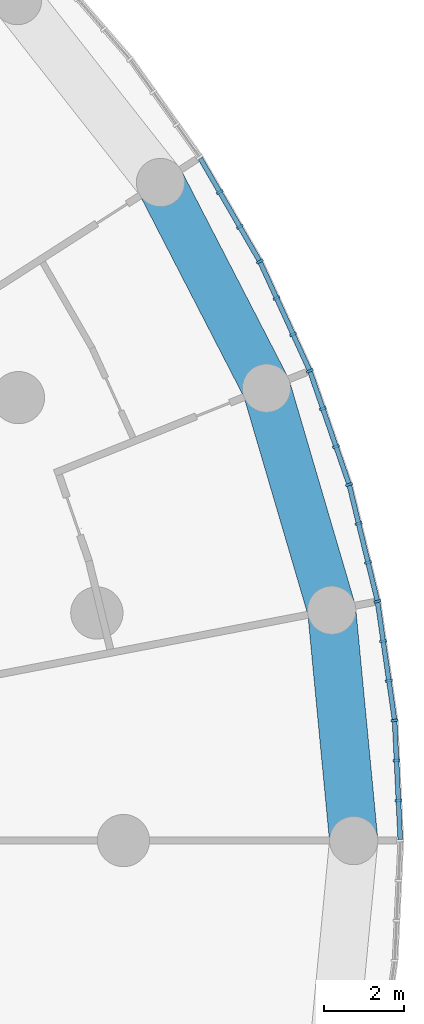
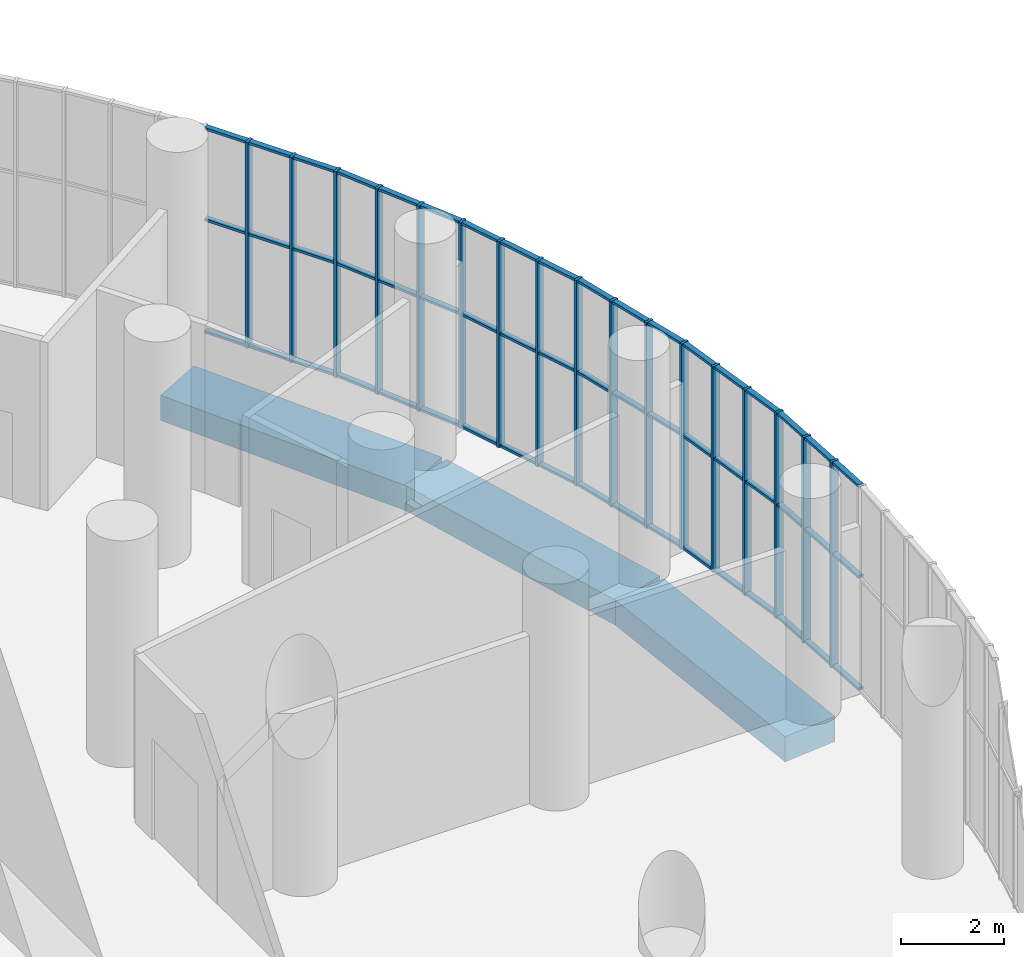
# One storey, part 9 of 27: 35 members, 3 beams, 6 elements without a shape of their own.
"""IFC4 building model written with IfcOpenShell, lengths in metres."""

from ifc_helpers import new_model, si_unit, direction, frame, origin, origin_2d, place, context, subcontext, project, spatial, rectangle, extrude, material, layer, layer_set, material_profile, profile_set, type_object, element, aggregate, save


model = new_model("IFC4")

# Units and contexts
model_context = context("Model", 3, precision=1e-05, world=origin(), true_north=direction((0.0, 1.0)))
body_context = subcontext(model_context, "Body", "Model", "MODEL_VIEW")
ifc_project = project(units=[si_unit("LENGTHUNIT", "METRE"), si_unit("AREAUNIT", "SQUARE_METRE"), si_unit("VOLUMEUNIT", "CUBIC_METRE"), si_unit("PLANEANGLEUNIT", "RADIAN"), si_unit("MASSUNIT", "GRAM", prefix="KILO")], contexts=[model_context])

# Site, building, storey
site_placement = place(None, origin())
site = spatial("IfcSite", under=ifc_project, at=site_placement, CompositionType="ELEMENT")
building_placement = place(site_placement, origin())
building = spatial("IfcBuilding", under=site, at=building_placement, Name="Tracery Tower", CompositionType="ELEMENT")
storey_placement = place(building_placement, frame((0.0, 0.0, 114.60009765625)))
storey = spatial("IfcBuildingStorey", under=building, at=storey_placement, Name="L29", CompositionType="ELEMENT", Elevation=114.60009765625)

# Beams
ifc_material_1 = material(Name="Concrete C60/75", Category="concrete")
ifc_material_profile_1 = material_profile(ifc_material_1, rectangle(XDim=1.199951171875, YDim=0.60009765625, at=origin_2d()), Name="RC 1200x600")
ifc_profile_set_1 = profile_set([ifc_material_profile_1], Name="Concrete C60/75")
beam_type = type_object("IfcBeamType", Name="Perimeter band beam 1200x600", PredefinedType="BEAM", material=ifc_profile_set_1)
for number, where, z_axis, x_axis, name in (
    (1, (30.274658203125, 0.0, -0.75), (-0.095059309677, 0.995471610667, 0.0), (-0.995471610667, -0.095059309677, 0.0), "Perimeter beam 0.00 under L29"),
    (2, (29.7275390625, 5.7294921875, -0.75), (-0.281739145896, 0.959491038869, 0.0), (-0.959491038869, -0.281739145896, 0.0), "Perimeter beam 0.01 under L29"),
    (3, (28.10595703125, 11.251953125, -0.75), (-0.458242010493, 0.88882746347, 0.0), (-0.88882746347, -0.458242010493, 0.0), "Perimeter beam 0.02 under L29"),
):
    element("IfcBeam", number, at=place(storey_placement, frame(where, z_axis=z_axis, x_axis=x_axis)), inside=storey, type_object=beam_type, Name=name, PredefinedType="BEAM", context=body_context, shape_type="SweptSolid", body=[
        extrude(rectangle(XDim=1.199951171875, YDim=0.60009765625, at=origin_2d()), origin(), (0.0, 0.0, 1.0), 5.755615234375),
    ])

# Curtain wall, members
ifc_material_2 = material(Name="Aluminium curtain wall with tinted glass", Category="aluminium")
ifc_layer = layer(ifc_material_2, 0.179931640625)
ifc_layer_set = layer_set([ifc_layer], Name="Sky lounge 1 tracery curtain wall")
curtain_wall_type = type_object("IfcCurtainWallType", Name="Sky lounge 1 tracery curtain wall", PredefinedType="NOTDEFINED", material=ifc_layer_set)
curtain_wall_1_placement = place(storey_placement, origin())
curtain_wall_1 = element("IfcCurtainWall", 4, at=curtain_wall_1_placement, inside=storey, type_object=curtain_wall_type, Name="Sky lounge 1 curtain wall run 1", PredefinedType="NOTDEFINED")
ifc_material_3 = material(Name="Aluminium, bronze anodised", Category="aluminium")
ifc_material_profile_2 = material_profile(ifc_material_3, rectangle(XDim=0.179931640625, YDim=0.06005859375, at=origin_2d()), Name="AL 60x180")
ifc_profile_set_2 = profile_set([ifc_material_profile_2], Name="Aluminium, bronze anodised")
member_type_1 = type_object("IfcMemberType", Name="Sky lounge 1 mullion 60 x 180", PredefinedType="MULLION", material=ifc_profile_set_2)
member_1_placement = place(storey_placement, frame((31.386962890625, 0.99609375, 0.0), z_axis=(0.0, 0.0, 1.0), x_axis=(-0.998867339183, -0.047581915819, 0.0)))
member_1 = element("IfcMember", 5, at=member_1_placement, type_object=member_type_1, Name="Sky lounge 1 curtain wall run 1 mullion 2", PredefinedType="MULLION", context=body_context, shape_type="SweptSolid", body=[
    extrude(rectangle(XDim=0.179931640625, YDim=0.06005859375, at=origin_2d()), origin(), (0.0, 0.0, 1.0), 4.89990234375),
])
member_2_placement = place(storey_placement, frame((31.339599609375, 1.991943359375, 0.0), z_axis=(0.0, 0.0, 1.0), x_axis=(-0.998867339183, -0.047581915819, 0.0)))
member_2 = element("IfcMember", 6, at=member_2_placement, type_object=member_type_1, Name="Sky lounge 1 curtain wall run 1 mullion 3", PredefinedType="MULLION", context=body_context, shape_type="SweptSolid", body=[
    extrude(rectangle(XDim=0.179931640625, YDim=0.06005859375, at=origin_2d()), origin(), (0.0, 0.0, 1.0), 4.89990234375),
])

curtain_wall_2_placement = place(storey_placement, origin())
curtain_wall_2 = element("IfcCurtainWall", 7, at=curtain_wall_2_placement, inside=storey, type_object=curtain_wall_type, Name="Sky lounge 1 curtain wall run 2", PredefinedType="NOTDEFINED")
member_3_placement = place(storey_placement, frame((31.292236328125, 2.988037109375, 0.0), z_axis=(0.0, 0.0, 1.0), x_axis=(-0.98982144188, -0.142314838276, 0.0)))
member_3 = element("IfcMember", 8, at=member_3_placement, type_object=member_type_1, Name="Sky lounge 1 curtain wall run 2 mullion 1", PredefinedType="MULLION", context=body_context, shape_type="SweptSolid", body=[
    extrude(rectangle(XDim=0.179931640625, YDim=0.06005859375, at=origin_2d()), origin(), (0.0, 0.0, 1.0), 4.89990234375),
])
member_4_placement = place(storey_placement, frame((31.150146484375, 3.97509765625, 0.0), z_axis=(0.0, 0.0, 1.0), x_axis=(-0.98982144188, -0.142314838276, 0.0)))
member_4 = element("IfcMember", 9, at=member_4_placement, type_object=member_type_1, Name="Sky lounge 1 curtain wall run 2 mullion 2", PredefinedType="MULLION", context=body_context, shape_type="SweptSolid", body=[
    extrude(rectangle(XDim=0.179931640625, YDim=0.06005859375, at=origin_2d()), origin(), (0.0, 0.0, 1.0), 4.89990234375),
])
member_5_placement = place(storey_placement, frame((31.00830078125, 4.9619140625, 0.0), z_axis=(0.0, 0.0, 1.0), x_axis=(-0.98982144188, -0.142314838276, 0.0)))
member_5 = element("IfcMember", 10, at=member_5_placement, type_object=member_type_1, Name="Sky lounge 1 curtain wall run 2 mullion 3", PredefinedType="MULLION", context=body_context, shape_type="SweptSolid", body=[
    extrude(rectangle(XDim=0.179931640625, YDim=0.06005859375, at=origin_2d()), origin(), (0.0, 0.0, 1.0), 4.89990234375),
])

curtain_wall_3_placement = place(storey_placement, origin())
curtain_wall_3 = element("IfcCurtainWall", 11, at=curtain_wall_3_placement, inside=storey, type_object=curtain_wall_type, Name="Sky lounge 1 curtain wall run 3", PredefinedType="NOTDEFINED")
member_6_placement = place(storey_placement, frame((30.866455078125, 5.948974609375, 0.0), z_axis=(0.0, 0.0, 1.0), x_axis=(-0.971811568325, -0.235758935503, 0.0)))
member_6 = element("IfcMember", 12, at=member_6_placement, type_object=member_type_1, Name="Sky lounge 1 curtain wall run 3 mullion 1", PredefinedType="MULLION", context=body_context, shape_type="SweptSolid", body=[
    extrude(rectangle(XDim=0.179931640625, YDim=0.06005859375, at=origin_2d()), origin(), (0.0, 0.0, 1.0), 4.89990234375),
])
member_7_placement = place(storey_placement, frame((30.63134765625, 6.91796875, 0.0), z_axis=(0.0, 0.0, 1.0), x_axis=(-0.971811568325, -0.235758935503, 0.0)))
member_7 = element("IfcMember", 13, at=member_7_placement, type_object=member_type_1, Name="Sky lounge 1 curtain wall run 3 mullion 2", PredefinedType="MULLION", context=body_context, shape_type="SweptSolid", body=[
    extrude(rectangle(XDim=0.179931640625, YDim=0.06005859375, at=origin_2d()), origin(), (0.0, 0.0, 1.0), 4.89990234375),
])
member_8_placement = place(storey_placement, frame((30.396240234375, 7.88720703125, 0.0), z_axis=(0.0, 0.0, 1.0), x_axis=(-0.971811568325, -0.235758935503, 0.0)))
member_8 = element("IfcMember", 14, at=member_8_placement, type_object=member_type_1, Name="Sky lounge 1 curtain wall run 3 mullion 3", PredefinedType="MULLION", context=body_context, shape_type="SweptSolid", body=[
    extrude(rectangle(XDim=0.179931640625, YDim=0.06005859375, at=origin_2d()), origin(), (0.0, 0.0, 1.0), 4.89990234375),
])

curtain_wall_4_placement = place(storey_placement, origin())
curtain_wall_4 = element("IfcCurtainWall", 15, at=curtain_wall_4_placement, inside=storey, type_object=curtain_wall_type, Name="Sky lounge 1 curtain wall run 4", PredefinedType="NOTDEFINED")
member_9_placement = place(storey_placement, frame((30.1611328125, 8.856201171875, 0.0), z_axis=(0.0, 0.0, 1.0), x_axis=(-0.945000818714, -0.327067963319, 0.0)))
member_9 = element("IfcMember", 16, at=member_9_placement, type_object=member_type_1, Name="Sky lounge 1 curtain wall run 4 mullion 1", PredefinedType="MULLION", context=body_context, shape_type="SweptSolid", body=[
    extrude(rectangle(XDim=0.179931640625, YDim=0.06005859375, at=origin_2d()), origin(), (0.0, 0.0, 1.0), 4.89990234375),
])
member_10_placement = place(storey_placement, frame((29.8349609375, 9.79833984375, 0.0), z_axis=(0.0, 0.0, 1.0), x_axis=(-0.945000818714, -0.327067963319, 0.0)))
member_10 = element("IfcMember", 17, at=member_10_placement, type_object=member_type_1, Name="Sky lounge 1 curtain wall run 4 mullion 2", PredefinedType="MULLION", context=body_context, shape_type="SweptSolid", body=[
    extrude(rectangle(XDim=0.179931640625, YDim=0.06005859375, at=origin_2d()), origin(), (0.0, 0.0, 1.0), 4.89990234375),
])
member_11_placement = place(storey_placement, frame((29.509033203125, 10.74072265625, 0.0), z_axis=(0.0, 0.0, 1.0), x_axis=(-0.945000818714, -0.327067963319, 0.0)))
member_11 = element("IfcMember", 18, at=member_11_placement, type_object=member_type_1, Name="Sky lounge 1 curtain wall run 4 mullion 3", PredefinedType="MULLION", context=body_context, shape_type="SweptSolid", body=[
    extrude(rectangle(XDim=0.179931640625, YDim=0.06005859375, at=origin_2d()), origin(), (0.0, 0.0, 1.0), 4.89990234375),
])

curtain_wall_5_placement = place(storey_placement, origin())
curtain_wall_5 = element("IfcCurtainWall", 19, at=curtain_wall_5_placement, inside=storey, type_object=curtain_wall_type, Name="Sky lounge 1 curtain wall run 5", PredefinedType="NOTDEFINED")
member_12_placement = place(storey_placement, frame((29.182861328125, 11.68310546875, 0.0), z_axis=(0.0, 0.0, 1.0), x_axis=(-0.909631995358, -0.415415012995, 0.0)))
member_12 = element("IfcMember", 20, at=member_12_placement, type_object=member_type_1, Name="Sky lounge 1 curtain wall run 5 mullion 1", PredefinedType="MULLION", context=body_context, shape_type="SweptSolid", body=[
    extrude(rectangle(XDim=0.179931640625, YDim=0.06005859375, at=origin_2d()), origin(), (0.0, 0.0, 1.0), 4.89990234375),
])
member_13_placement = place(storey_placement, frame((28.7685546875, 12.590087890625, 0.0), z_axis=(0.0, 0.0, 1.0), x_axis=(-0.909631995358, -0.415415012995, 0.0)))
member_13 = element("IfcMember", 21, at=member_13_placement, type_object=member_type_1, Name="Sky lounge 1 curtain wall run 5 mullion 2", PredefinedType="MULLION", context=body_context, shape_type="SweptSolid", body=[
    extrude(rectangle(XDim=0.179931640625, YDim=0.06005859375, at=origin_2d()), origin(), (0.0, 0.0, 1.0), 4.89990234375),
])
member_14_placement = place(storey_placement, frame((28.354248046875, 13.4970703125, 0.0), z_axis=(0.0, 0.0, 1.0), x_axis=(-0.909631995358, -0.415415012995, 0.0)))
member_14 = element("IfcMember", 22, at=member_14_placement, type_object=member_type_1, Name="Sky lounge 1 curtain wall run 5 mullion 3", PredefinedType="MULLION", context=body_context, shape_type="SweptSolid", body=[
    extrude(rectangle(XDim=0.179931640625, YDim=0.06005859375, at=origin_2d()), origin(), (0.0, 0.0, 1.0), 4.89990234375),
])

curtain_wall_6_placement = place(storey_placement, origin())
curtain_wall_6 = element("IfcCurtainWall", 23, at=curtain_wall_6_placement, inside=storey, type_object=curtain_wall_type, Name="Sky lounge 1 curtain wall run 6", PredefinedType="NOTDEFINED")
member_15_placement = place(storey_placement, frame((27.940185546875, 14.404052734375, 0.0), z_axis=(0.0, 0.0, 1.0), x_axis=(-0.866025403784, -0.5, 0.0)))
member_15 = element("IfcMember", 24, at=member_15_placement, type_object=member_type_1, Name="Sky lounge 1 curtain wall run 6 mullion 1", PredefinedType="MULLION", context=body_context, shape_type="SweptSolid", body=[
    extrude(rectangle(XDim=0.179931640625, YDim=0.06005859375, at=origin_2d()), origin(), (0.0, 0.0, 1.0), 4.89990234375),
])
member_16_placement = place(storey_placement, frame((27.44140625, 15.267578125, 0.0), z_axis=(0.0, 0.0, 1.0), x_axis=(-0.866025403784, -0.5, 0.0)))
member_16 = element("IfcMember", 25, at=member_16_placement, type_object=member_type_1, Name="Sky lounge 1 curtain wall run 6 mullion 2", PredefinedType="MULLION", context=body_context, shape_type="SweptSolid", body=[
    extrude(rectangle(XDim=0.179931640625, YDim=0.06005859375, at=origin_2d()), origin(), (0.0, 0.0, 1.0), 4.89990234375),
])
member_17_placement = place(storey_placement, frame((26.94287109375, 16.131103515625, 0.0), z_axis=(0.0, 0.0, 1.0), x_axis=(-0.866025403784, -0.5, 0.0)))
member_17 = element("IfcMember", 26, at=member_17_placement, type_object=member_type_1, Name="Sky lounge 1 curtain wall run 6 mullion 3", PredefinedType="MULLION", context=body_context, shape_type="SweptSolid", body=[
    extrude(rectangle(XDim=0.179931640625, YDim=0.06005859375, at=origin_2d()), origin(), (0.0, 0.0, 1.0), 4.89990234375),
])

# Member
ifc_material_4 = material(Name="Aluminium, bronze anodised", Category="aluminium")
ifc_material_profile_3 = material_profile(ifc_material_4, rectangle(XDim=0.1201171875, YDim=0.06005859375, at=origin_2d()), Name="AL 60x120")
ifc_profile_set_3 = profile_set([ifc_material_profile_3], Name="Aluminium, bronze anodised")
member_type_2 = type_object("IfcMemberType", Name="Sky lounge 1 transom 60 x 120", PredefinedType="USERDEFINED", material=ifc_profile_set_3)
member_18_placement = place(storey_placement, frame((31.43310546875, 0.030029296875, 0.02978515625), z_axis=(-0.047557235205, 0.99886851456, 0.0), x_axis=(-0.99886851456, -0.047557235205, 0.0)))
member_18 = element("IfcMember", 27, at=member_18_placement, type_object=member_type_2, Name="Sky lounge 1 curtain wall run 1 transom 1", ObjectType="TRANSOM", PredefinedType="USERDEFINED", context=body_context, shape_type="SweptSolid", body=[
    extrude(rectangle(XDim=0.1201171875, YDim=0.06005859375, at=origin_2d()), origin(), (0.0, 0.0, 1.0), 2.931396484375),
])

member_19_placement = place(storey_placement, frame((31.43310546875, 0.030029296875, 2.699951171875), z_axis=(-0.047557235205, 0.99886851456, 0.0), x_axis=(-0.99886851456, -0.047557235205, 0.0)))
member_19 = element("IfcMember", 28, at=member_19_placement, type_object=member_type_2, Name="Sky lounge 1 curtain wall run 1 transom 2", ObjectType="TRANSOM", PredefinedType="USERDEFINED", context=body_context, shape_type="SweptSolid", body=[
    extrude(rectangle(XDim=0.1201171875, YDim=0.06005859375, at=origin_2d()), origin(), (0.0, 0.0, 1.0), 2.931396484375),
])

member_20_placement = place(storey_placement, frame((31.43310546875, 0.030029296875, 4.869873046875), z_axis=(-0.047557235205, 0.99886851456, 0.0), x_axis=(-0.99886851456, -0.047557235205, 0.0)))
member_20 = element("IfcMember", 29, at=member_20_placement, type_object=member_type_2, Name="Sky lounge 1 curtain wall run 1 transom 3", ObjectType="TRANSOM", PredefinedType="USERDEFINED", context=body_context, shape_type="SweptSolid", body=[
    extrude(rectangle(XDim=0.1201171875, YDim=0.06005859375, at=origin_2d()), origin(), (0.0, 0.0, 1.0), 2.931396484375),
])

aggregate(curtain_wall_1, [member_1, member_2, member_18, member_19, member_20])

member_21_placement = place(storey_placement, frame((31.287841796875, 3.017822265625, 0.02978515625), z_axis=(-0.142330747561, 0.98981915434, 0.0), x_axis=(-0.98981915434, -0.142330747561, 0.0)))
member_21 = element("IfcMember", 30, at=member_21_placement, type_object=member_type_2, Name="Sky lounge 1 curtain wall run 2 transom 1", ObjectType="TRANSOM", PredefinedType="USERDEFINED", context=body_context, shape_type="SweptSolid", body=[
    extrude(rectangle(XDim=0.1201171875, YDim=0.06005859375, at=origin_2d()), origin(), (0.0, 0.0, 1.0), 2.931396484375),
])

member_22_placement = place(storey_placement, frame((31.287841796875, 3.017822265625, 2.699951171875), z_axis=(-0.142330747561, 0.98981915434, 0.0), x_axis=(-0.98981915434, -0.142330747561, 0.0)))
member_22 = element("IfcMember", 31, at=member_22_placement, type_object=member_type_2, Name="Sky lounge 1 curtain wall run 2 transom 2", ObjectType="TRANSOM", PredefinedType="USERDEFINED", context=body_context, shape_type="SweptSolid", body=[
    extrude(rectangle(XDim=0.1201171875, YDim=0.06005859375, at=origin_2d()), origin(), (0.0, 0.0, 1.0), 2.931396484375),
])

member_23_placement = place(storey_placement, frame((31.287841796875, 3.017822265625, 4.869873046875), z_axis=(-0.142330747561, 0.98981915434, 0.0), x_axis=(-0.98981915434, -0.142330747561, 0.0)))
member_23 = element("IfcMember", 32, at=member_23_placement, type_object=member_type_2, Name="Sky lounge 1 curtain wall run 2 transom 3", ObjectType="TRANSOM", PredefinedType="USERDEFINED", context=body_context, shape_type="SweptSolid", body=[
    extrude(rectangle(XDim=0.1201171875, YDim=0.06005859375, at=origin_2d()), origin(), (0.0, 0.0, 1.0), 2.931396484375),
])

aggregate(curtain_wall_2, [member_3, member_4, member_5, member_21, member_22, member_23])

member_24_placement = place(storey_placement, frame((30.859375, 5.978271484375, 0.02978515625), z_axis=(-0.235788340216, 0.971804434348, 0.0), x_axis=(-0.971804434348, -0.235788340216, 0.0)))
member_24 = element("IfcMember", 33, at=member_24_placement, type_object=member_type_2, Name="Sky lounge 1 curtain wall run 3 transom 1", ObjectType="TRANSOM", PredefinedType="USERDEFINED", context=body_context, shape_type="SweptSolid", body=[
    extrude(rectangle(XDim=0.1201171875, YDim=0.06005859375, at=origin_2d()), origin(), (0.0, 0.0, 1.0), 2.931396484375),
])

member_25_placement = place(storey_placement, frame((30.859375, 5.978271484375, 2.699951171875), z_axis=(-0.235788340216, 0.971804434348, 0.0), x_axis=(-0.971804434348, -0.235788340216, 0.0)))
member_25 = element("IfcMember", 34, at=member_25_placement, type_object=member_type_2, Name="Sky lounge 1 curtain wall run 3 transom 2", ObjectType="TRANSOM", PredefinedType="USERDEFINED", context=body_context, shape_type="SweptSolid", body=[
    extrude(rectangle(XDim=0.1201171875, YDim=0.06005859375, at=origin_2d()), origin(), (0.0, 0.0, 1.0), 2.931396484375),
])

member_26_placement = place(storey_placement, frame((30.859375, 5.978271484375, 4.869873046875), z_axis=(-0.235788340216, 0.971804434348, 0.0), x_axis=(-0.971804434348, -0.235788340216, 0.0)))
member_26 = element("IfcMember", 35, at=member_26_placement, type_object=member_type_2, Name="Sky lounge 1 curtain wall run 3 transom 3", ObjectType="TRANSOM", PredefinedType="USERDEFINED", context=body_context, shape_type="SweptSolid", body=[
    extrude(rectangle(XDim=0.1201171875, YDim=0.06005859375, at=origin_2d()), origin(), (0.0, 0.0, 1.0), 2.931396484375),
])

aggregate(curtain_wall_3, [member_6, member_7, member_8, member_24, member_25, member_26])

member_27_placement = place(storey_placement, frame((30.1513671875, 8.884521484375, 0.02978515625), z_axis=(-0.327050494185, 0.945006864659, 0.0), x_axis=(-0.945006864659, -0.327050494185, 0.0)))
member_27 = element("IfcMember", 36, at=member_27_placement, type_object=member_type_2, Name="Sky lounge 1 curtain wall run 4 transom 1", ObjectType="TRANSOM", PredefinedType="USERDEFINED", context=body_context, shape_type="SweptSolid", body=[
    extrude(rectangle(XDim=0.1201171875, YDim=0.06005859375, at=origin_2d()), origin(), (0.0, 0.0, 1.0), 2.931396484375),
])

member_28_placement = place(storey_placement, frame((30.1513671875, 8.884521484375, 2.699951171875), z_axis=(-0.327050494185, 0.945006864659, 0.0), x_axis=(-0.945006864659, -0.327050494185, 0.0)))
member_28 = element("IfcMember", 37, at=member_28_placement, type_object=member_type_2, Name="Sky lounge 1 curtain wall run 4 transom 2", ObjectType="TRANSOM", PredefinedType="USERDEFINED", context=body_context, shape_type="SweptSolid", body=[
    extrude(rectangle(XDim=0.1201171875, YDim=0.06005859375, at=origin_2d()), origin(), (0.0, 0.0, 1.0), 2.931396484375),
])

member_29_placement = place(storey_placement, frame((30.1513671875, 8.884521484375, 4.869873046875), z_axis=(-0.327050494185, 0.945006864659, 0.0), x_axis=(-0.945006864659, -0.327050494185, 0.0)))
member_29 = element("IfcMember", 38, at=member_29_placement, type_object=member_type_2, Name="Sky lounge 1 curtain wall run 4 transom 3", ObjectType="TRANSOM", PredefinedType="USERDEFINED", context=body_context, shape_type="SweptSolid", body=[
    extrude(rectangle(XDim=0.1201171875, YDim=0.06005859375, at=origin_2d()), origin(), (0.0, 0.0, 1.0), 2.931396484375),
])

aggregate(curtain_wall_4, [member_9, member_10, member_11, member_27, member_28, member_29])

member_30_placement = place(storey_placement, frame((29.17041015625, 11.710205078125, 0.02978515625), z_axis=(-0.41538972721, 0.909643542564, 0.0), x_axis=(-0.909643542564, -0.41538972721, 0.0)))
member_30 = element("IfcMember", 39, at=member_30_placement, type_object=member_type_2, Name="Sky lounge 1 curtain wall run 5 transom 1", ObjectType="TRANSOM", PredefinedType="USERDEFINED", context=body_context, shape_type="SweptSolid", body=[
    extrude(rectangle(XDim=0.1201171875, YDim=0.06005859375, at=origin_2d()), origin(), (0.0, 0.0, 1.0), 2.931640625),
])

member_31_placement = place(storey_placement, frame((29.17041015625, 11.710205078125, 2.699951171875), z_axis=(-0.41538972721, 0.909643542564, 0.0), x_axis=(-0.909643542564, -0.41538972721, 0.0)))
member_31 = element("IfcMember", 40, at=member_31_placement, type_object=member_type_2, Name="Sky lounge 1 curtain wall run 5 transom 2", ObjectType="TRANSOM", PredefinedType="USERDEFINED", context=body_context, shape_type="SweptSolid", body=[
    extrude(rectangle(XDim=0.1201171875, YDim=0.06005859375, at=origin_2d()), origin(), (0.0, 0.0, 1.0), 2.931640625),
])

member_32_placement = place(storey_placement, frame((29.17041015625, 11.710205078125, 4.869873046875), z_axis=(-0.41538972721, 0.909643542564, 0.0), x_axis=(-0.909643542564, -0.41538972721, 0.0)))
member_32 = element("IfcMember", 41, at=member_32_placement, type_object=member_type_2, Name="Sky lounge 1 curtain wall run 5 transom 3", ObjectType="TRANSOM", PredefinedType="USERDEFINED", context=body_context, shape_type="SweptSolid", body=[
    extrude(rectangle(XDim=0.1201171875, YDim=0.06005859375, at=origin_2d()), origin(), (0.0, 0.0, 1.0), 2.931640625),
])

aggregate(curtain_wall_5, [member_12, member_13, member_14, member_30, member_31, member_32])

member_33_placement = place(storey_placement, frame((27.925048828125, 14.43017578125, 0.02978515625), z_axis=(-0.499982003349, 0.866035793907, 0.0), x_axis=(-0.866035793907, -0.499982003349, 0.0)))
member_33 = element("IfcMember", 42, at=member_33_placement, type_object=member_type_2, Name="Sky lounge 1 curtain wall run 6 transom 1", ObjectType="TRANSOM", PredefinedType="USERDEFINED", context=body_context, shape_type="SweptSolid", body=[
    extrude(rectangle(XDim=0.1201171875, YDim=0.06005859375, at=origin_2d()), origin(), (0.0, 0.0, 1.0), 2.93115234375),
])

member_34_placement = place(storey_placement, frame((27.925048828125, 14.43017578125, 2.699951171875), z_axis=(-0.499982003349, 0.866035793907, 0.0), x_axis=(-0.866035793907, -0.499982003349, 0.0)))
member_34 = element("IfcMember", 43, at=member_34_placement, type_object=member_type_2, Name="Sky lounge 1 curtain wall run 6 transom 2", ObjectType="TRANSOM", PredefinedType="USERDEFINED", context=body_context, shape_type="SweptSolid", body=[
    extrude(rectangle(XDim=0.1201171875, YDim=0.06005859375, at=origin_2d()), origin(), (0.0, 0.0, 1.0), 2.93115234375),
])

member_35_placement = place(storey_placement, frame((27.925048828125, 14.43017578125, 4.869873046875), z_axis=(-0.499982003349, 0.866035793907, 0.0), x_axis=(-0.866035793907, -0.499982003349, 0.0)))
member_35 = element("IfcMember", 44, at=member_35_placement, type_object=member_type_2, Name="Sky lounge 1 curtain wall run 6 transom 3", ObjectType="TRANSOM", PredefinedType="USERDEFINED", context=body_context, shape_type="SweptSolid", body=[
    extrude(rectangle(XDim=0.1201171875, YDim=0.06005859375, at=origin_2d()), origin(), (0.0, 0.0, 1.0), 2.93115234375),
])

aggregate(curtain_wall_6, [member_15, member_16, member_17, member_33, member_34, member_35])

save(model, "model.ifc")
